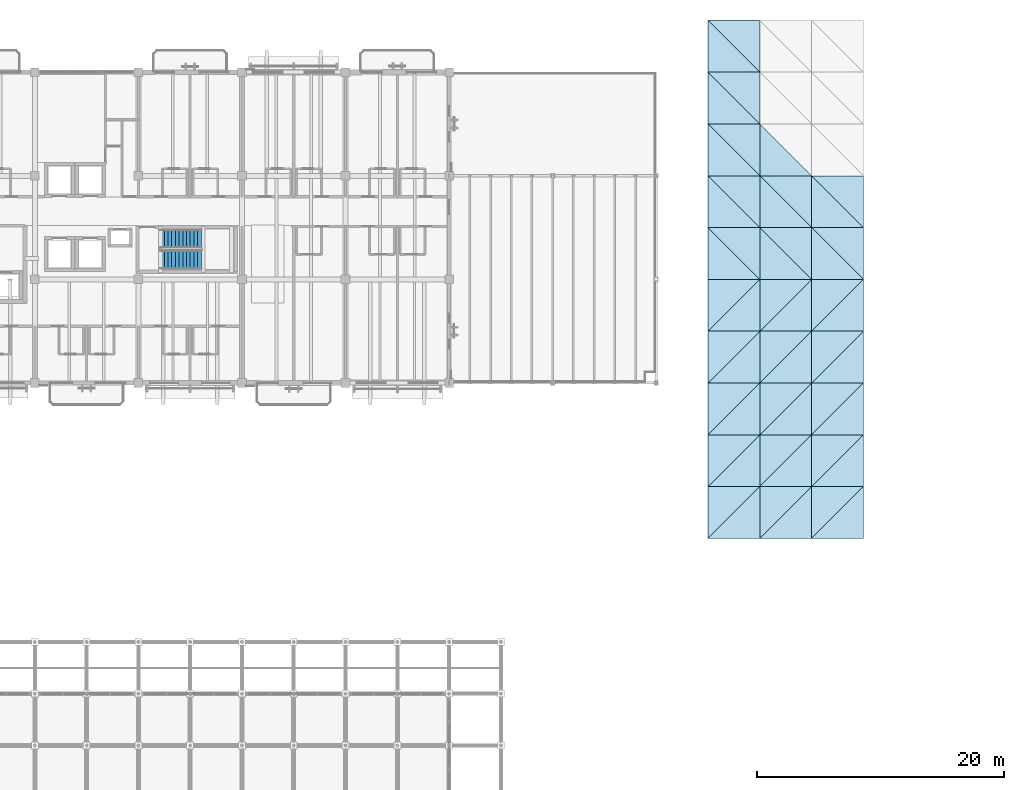
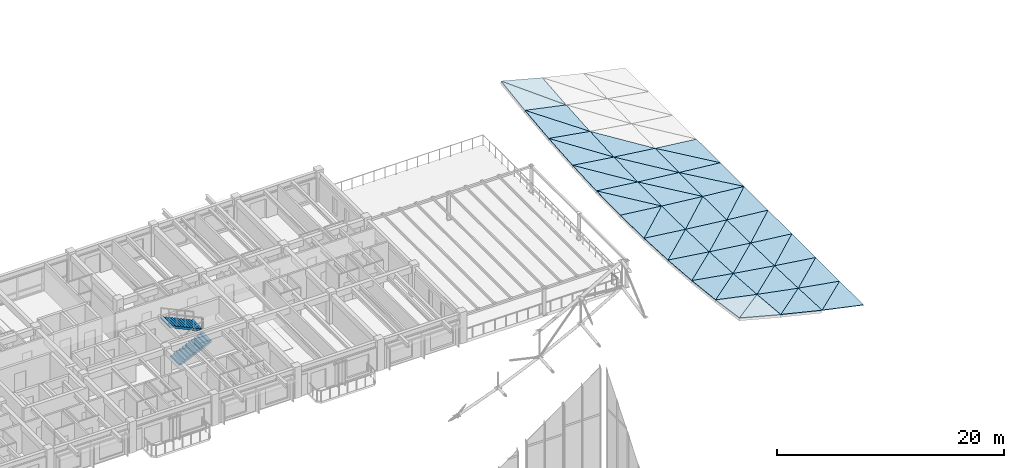
# One storey, part 84 of 93: 49 roofs, 2 stair flights, 1 element without a shape of its own.
"""IFC4 building model written with IfcOpenShell, lengths in metres."""

from ifc_helpers import new_model, si_unit, direction, frame, origin, place, context, subcontext, project, spatial, polyline, outline, extrude, material, layer, layer_set, type_object, element, aggregate, save


model = new_model("IFC4")

# Units and contexts
model_context = context("Model", 3, precision=1e-05, world=origin(), true_north=direction((0.0, 1.0)))
body_context = subcontext(model_context, "Body", "Model", "MODEL_VIEW")
ifc_project = project(units=[si_unit("LENGTHUNIT", "METRE"), si_unit("AREAUNIT", "SQUARE_METRE"), si_unit("VOLUMEUNIT", "CUBIC_METRE"), si_unit("PLANEANGLEUNIT", "RADIAN"), si_unit("MASSUNIT", "GRAM", prefix="KILO")], contexts=[model_context])

# Site, building, storey
site_placement = place(None, origin())
site = spatial("IfcSite", under=ifc_project, at=site_placement, CompositionType="ELEMENT")
building_placement = place(site_placement, origin())
building = spatial("IfcBuilding", under=site, at=building_placement, Name="Cumbredor Promenade Congress Hotel", CompositionType="ELEMENT")
storey_placement = place(building_placement, frame((0.0, 0.0, 21.840087890625)))
storey = spatial("IfcBuildingStorey", under=building, at=storey_placement, Name="L06", CompositionType="ELEMENT", Elevation=21.840087890625)

# Stair, stair flights
ifc_material_1 = material(Name="Concrete C40/50", Category="concrete")
stair_type = type_object("IfcStairType", Name="Protected Dog-Leg Exit Stair ST-T1 1550mm", PredefinedType="HALF_TURN_STAIR", material=ifc_material_1)
stair_placement = place(storey_placement, origin())
stair = element("IfcStair", 1, at=stair_placement, inside=storey, type_object=stair_type, Name="L06 Protected Exit Stair ST-03", PredefinedType="HALF_TURN_STAIR")
stair_flight_type = type_object("IfcStairFlightType", Name="Concrete Stair Flight SFL-T1 1550mm", PredefinedType="STRAIGHT", material=ifc_material_1)
stair_flight_1_placement = place(storey_placement, frame((43.800048828125, 102.39501953125, 0.0), z_axis=(0.0, 0.0, 1.0), x_axis=(1.0, 0.0, 0.0)))
stair_flight_1 = element("IfcStairFlight", 2, at=stair_flight_1_placement, type_object=stair_flight_type, Name="ST-03 flight 1", NumberOfRisers=12, NumberOfTreads=11, PredefinedType="STRAIGHT", RiserHeight=0.14, TreadLength=0.3, context=body_context, shape_type="SweptSolid", body=[
    extrude(outline(polyline([(0.0, 0.0), (0.0, 0.139892578125), (0.300048828125, 0.139892578125), (0.300048828125, 0.280029296875), (0.60009765625, 0.280029296875), (0.60009765625, 0.419921875), (0.89990234375, 0.419921875), (0.89990234375, 0.56005859375), (1.199951171875, 0.56005859375), (1.199951171875, 0.699951171875), (1.5, 0.699951171875), (1.5, 0.840087890625), (1.800048828125, 0.840087890625), (1.800048828125, 0.97998046875), (2.10009765625, 0.97998046875), (2.10009765625, 1.1201171875), (2.39990234375, 1.1201171875), (2.39990234375, 1.260009765625), (2.699951171875, 1.260009765625), (2.699951171875, 1.39990234375), (3.0, 1.39990234375), (3.0, 1.5400390625), (3.300048828125, 1.5400390625), (3.300048828125, 1.679931640625), (3.300048828125, 1.341552734375), (0.425537109375, 0.0), (0.0, 0.0)])), frame((0.0, 0.77490234375, 0.0), z_axis=(0.0, -1.0, 0.0), x_axis=(1.0, 0.0, 0.0)), (0.0, 0.0, 1.0), 1.550048828125),
])
stair_flight_2_placement = place(storey_placement, frame((47.10009765625, 104.094970703125, 1.679931640625), z_axis=(0.0, 0.0, 1.0), x_axis=(-1.0, 0.0, 0.0)))
stair_flight_2 = element("IfcStairFlight", 3, at=stair_flight_2_placement, type_object=stair_flight_type, Name="ST-03 flight 2", NumberOfRisers=12, NumberOfTreads=11, PredefinedType="STRAIGHT", RiserHeight=0.14, TreadLength=0.3, context=body_context, shape_type="SweptSolid", body=[
    extrude(outline(polyline([(0.0, 0.0), (0.0, 0.139892578125), (0.300048828125, 0.139892578125), (0.300048828125, 0.280029296875), (0.60009765625, 0.280029296875), (0.60009765625, 0.419921875), (0.89990234375, 0.419921875), (0.89990234375, 0.56005859375), (1.199951171875, 0.56005859375), (1.199951171875, 0.699951171875), (1.5, 0.699951171875), (1.5, 0.840087890625), (1.800048828125, 0.840087890625), (1.800048828125, 0.97998046875), (2.10009765625, 0.97998046875), (2.10009765625, 1.1201171875), (2.39990234375, 1.1201171875), (2.39990234375, 1.260009765625), (2.699951171875, 1.260009765625), (2.699951171875, 1.39990234375), (3.0, 1.39990234375), (3.0, 1.5400390625), (3.300048828125, 1.5400390625), (3.300048828125, 1.679931640625), (3.300048828125, 1.341552734375), (0.425537109375, 0.0), (0.0, 0.0)])), frame((0.0, 0.77490234375, 0.0), z_axis=(0.0, -1.0, 0.0), x_axis=(1.0, 0.0, 0.0)), (0.0, 0.0, 1.0), 1.550048828125),
])
aggregate(stair, [stair_flight_1, stair_flight_2])

# Roofs
ifc_material_2 = material(Name="Standing-seam zinc-aluminium roofing", Category="aluminium")
ifc_layer = layer(ifc_material_2, 0.050048828125, Name="Standing-seam zinc-aluminium roofing", Category="aluminium")
ifc_layer_set = layer_set([ifc_layer], Name="Standing-seam zinc-aluminium roofing")
roof_type = type_object("IfcRoofType", Name="Sweeping Pavilion Standing-Seam Roof Skin 50mm", PredefinedType="FREEFORM", material=ifc_layer_set)
roof_1_placement = place(storey_placement, frame((88.199951171875, 79.800048828125, 2.809814453125), z_axis=(0.254634442805, 0.088777803097, 0.962953686433), x_axis=(0.966771025005, 0.0, -0.255643864021)))
element("IfcRoof", 4, at=roof_1_placement, inside=storey, type_object=roof_type, Name="Pre-Function and Breakout Meeting Forum Standing-Seam Roof Skin 1.1.1", PredefinedType="FREEFORM", context=body_context, shape_type="SweptSolid", body=[
    extrude(outline(polyline([(0.0, 0.0), (4.344308076314789, -2.7755575615628914e-17), (4.443295177959484, 4.216600607704222), (0.0, 0.0)])), origin(), (0.0, 0.0, -1.0), 0.050048828125),
])
roof_2_placement = place(storey_placement, frame((88.199951171875, 79.800048828125, 2.809814453125), z_axis=(0.204343591237, 0.141109131893, 0.96867533757), x_axis=(0.685642645018, 0.685642645018, -0.244516516142)))
element("IfcRoof", 5, at=roof_2_placement, inside=storey, type_object=roof_type, Name="Pre-Function and Breakout Meeting Forum Standing-Seam Roof Skin 1.1.2", PredefinedType="FREEFORM", context=body_context, shape_type="SweptSolid", body=[
    extrude(outline(polyline([(0.0, 0.0), (6.125568767336597, -2.7755575615628914e-17), (3.0292648466044523, 2.972787185490639), (0.0, 0.0)])), origin(), (0.0, 0.0, -1.0), 0.050048828125),
])
roof_3_placement = place(storey_placement, frame((88.199951171875, 84.0, 2.197998046875), z_axis=(0.205903190223, 0.069958289762, 0.976068498595), x_axis=(0.978465820683, 0.0, -0.206408909101)))
element("IfcRoof", 6, at=roof_3_placement, inside=storey, type_object=roof_type, Name="Pre-Function and Breakout Meeting Forum Standing-Seam Roof Skin 1.2.1", PredefinedType="FREEFORM", context=body_context, shape_type="SweptSolid", body=[
    extrude(outline(polyline([(0.0, 0.0), (4.292384141681474, -6.938893903907228e-18), (4.354518464171949, 4.210266673015353), (0.0, 0.0)])), origin(), (0.0, 0.0, -1.0), 0.050048828125),
])
roof_4_placement = place(storey_placement, frame((88.199951171875, 84.0, 2.197998046875), z_axis=(0.165865904317, 0.111070918069, 0.979873335153), x_axis=(0.693395754023, 0.693395754023, -0.195971060632)))
element("IfcRoof", 7, at=roof_4_placement, inside=storey, type_object=roof_type, Name="Pre-Function and Breakout Meeting Forum Standing-Seam Roof Skin 1.2.2", PredefinedType="FREEFORM", context=body_context, shape_type="SweptSolid", body=[
    extrude(outline(polyline([(0.0, 0.0), (6.05707656487172, -2.983724378680108e-16), (3.0055250792707677, 2.972045676931473), (0.0, 0.0)])), origin(), (0.0, 0.0, -1.0), 0.050048828125),
])
roof_5_placement = place(storey_placement, frame((88.199951171875, 88.199951171875, 1.721923828125), z_axis=(0.16668623471, 0.050429454938, 0.984719538363), x_axis=(0.985974066554, 0.0, -0.166898592211)))
element("IfcRoof", 8, at=roof_5_placement, inside=storey, type_object=roof_type, Name="Pre-Function and Breakout Meeting Forum Standing-Seam Roof Skin 1.3.1", PredefinedType="FREEFORM", context=body_context, shape_type="SweptSolid", body=[
    extrude(outline(polyline([(0.0, 0.0), (4.259697404163872, 0.0), (4.295595270310828, 4.20530189047514), (0.0, 0.0)])), origin(), (0.0, 0.0, -1.0), 0.050048828125),
])
roof_6_placement = place(storey_placement, frame((88.199951171875, 88.199951171875, 1.721923828125), z_axis=(0.137730186113, 0.079940895523, 0.987238496543), x_axis=(0.698666596373, 0.698666596373, -0.154045364183)))
element("IfcRoof", 9, at=roof_6_placement, inside=storey, type_object=roof_type, Name="Pre-Function and Breakout Meeting Forum Standing-Seam Roof Skin 1.3.2", PredefinedType="FREEFORM", context=body_context, shape_type="SweptSolid", body=[
    extrude(outline(polyline([(0.0, 0.0), (6.01138109891151, -1.1796119636642288e-16), (2.9867545531505373, 2.972296563049939), (0.0, 0.0)])), origin(), (0.0, 0.0, -1.0), 0.050048828125),
])
roof_7_placement = place(storey_placement, frame((88.199951171875, 92.39990234375, 1.3818359375), z_axis=(0.138108605928, 0.030382127209, 0.989950978238), x_axis=(0.990408193629, 0.0, -0.138172392298)))
element("IfcRoof", 10, at=roof_7_placement, inside=storey, type_object=roof_type, Name="Pre-Function and Breakout Meeting Forum Standing-Seam Roof Skin 1.4.1", PredefinedType="FREEFORM", context=body_context, shape_type="SweptSolid", body=[
    extrude(outline(polyline([(0.0, 0.0), (4.24062643957711, 0.0), (4.258437724521819, 4.202135200414743), (0.0, 0.0)])), origin(), (0.0, 0.0, -1.0), 0.050048828125),
])
roof_8_placement = place(storey_placement, frame((88.199951171875, 92.39990234375, 1.3818359375), z_axis=(0.120634305935, 0.04812412348, 0.99152984472), x_axis=(0.702020589807, 0.70206139784, -0.119485920302)))
element("IfcRoof", 11, at=roof_8_placement, inside=storey, type_object=roof_type, Name="Pre-Function and Breakout Meeting Forum Standing-Seam Roof Skin 1.4.2", PredefinedType="FREEFORM", context=body_context, shape_type="SweptSolid", body=[
    extrude(outline(polyline([(0.0, 0.0), (5.982660954474624, 4.649058915617843e-16), (2.9731530839570124, 2.9738122420484796), (0.0, 0.0)])), origin(), (0.0, 0.0, -1.0), 0.050048828125),
])
roof_9_placement = place(storey_placement, frame((88.199951171875, 96.60009765625, 1.177978515625), z_axis=(0.120768011453, 0.010155360734, 0.992628810814), x_axis=(0.992680000349, 0.0, -0.120774239419)))
element("IfcRoof", 12, at=roof_9_placement, inside=storey, type_object=roof_type, Name="Pre-Function and Breakout Meeting Forum Standing-Seam Roof Skin 1.5.1", PredefinedType="FREEFORM", context=body_context, shape_type="SweptSolid", body=[
    extrude(outline(polyline([(0.0, 0.0), (4.23092151589519, -8.673617379884035e-19), (4.236111033995238, 4.200167761948639), (0.0, 0.0)])), origin(), (0.0, 0.0, -1.0), 0.050048828125),
])
roof_10_placement = place(storey_placement, frame((88.199951171875, 96.60009765625, 1.177978515625), z_axis=(0.114896313285, 0.016108578596, 0.993246873083), x_axis=(0.704051412217, 0.704051412217, -0.092861283167)))
element("IfcRoof", 13, at=roof_10_placement, inside=storey, type_object=roof_type, Name="Pre-Function and Breakout Meeting Forum Standing-Seam Roof Skin 1.5.2", PredefinedType="FREEFORM", context=body_context, shape_type="SweptSolid", body=[
    extrude(outline(polyline([(0.0, 0.0), (5.965404086970878, 7.632783294297951e-17), (2.963306821866968, 2.977086194715369), (0.0, 0.0)])), origin(), (0.0, 0.0, -1.0), 0.050048828125),
])
roof_11_placement = place(storey_placement, frame((88.199951171875, 100.800048828125, 1.10986328125), z_axis=(0.114896313285, -0.016108578596, 0.993246873083), x_axis=(0.993375765148, 0.0, -0.114911223196)))
element("IfcRoof", 14, at=roof_11_placement, inside=storey, type_object=roof_type, Name="Pre-Function and Breakout Meeting Forum Standing-Seam Roof Skin 1.6.1", PredefinedType="FREEFORM", context=body_context, shape_type="SweptSolid", body=[
    extrude(outline(polyline([(0.0, 0.0), (4.227958159668709, 0.0), (-0.007827204900328939, 4.2004961928505065), (0.0, 0.0)])), origin(), (0.0, 0.0, -1.0), 0.050048828125),
])
roof_12_placement = place(storey_placement, frame((92.39990234375, 100.800048828125, 0.6240234375), z_axis=(0.120768011453, -0.010155360734, 0.992628810814), x_axis=(0.0, 0.999947669743, 0.010230238323)))
element("IfcRoof", 15, at=roof_12_placement, inside=storey, type_object=roof_type, Name="Pre-Function and Breakout Meeting Forum Standing-Seam Roof Skin 1.6.2", PredefinedType="FREEFORM", context=body_context, shape_type="SweptSolid", body=[
    extrude(outline(polyline([(0.0, 0.0), (4.2001709679024675, 0.0), (4.205398479819104, 4.230918286469737), (0.0, 0.0)])), origin(), (0.0, 0.0, -1.0), 0.050048828125),
])
roof_13_placement = place(storey_placement, frame((88.199951171875, 105.0, 1.177978515625), z_axis=(0.120634289694, -0.048126914427, 0.991529711233), x_axis=(0.992680000349, 0.0, -0.120774239419)))
element("IfcRoof", 16, at=roof_13_placement, inside=storey, type_object=roof_type, Name="Pre-Function and Breakout Meeting Forum Standing-Seam Roof Skin 1.7.1", PredefinedType="FREEFORM", context=body_context, shape_type="SweptSolid", body=[
    extrude(outline(polyline([(0.0, 0.0), (4.23092151589519, 0.0), (-0.024620725076932817, 4.204823600876069), (0.0, 0.0)])), origin(), (0.0, 0.0, -1.0), 0.050048828125),
])
roof_14_placement = place(storey_placement, frame((92.39990234375, 105.0, 0.6669921875), z_axis=(0.138108598517, -0.030383891674, 0.989950925118), x_axis=(0.0, 0.999529323226, 0.030677874944)))
element("IfcRoof", 17, at=roof_14_placement, inside=storey, type_object=roof_type, Name="Pre-Function and Breakout Meeting Forum Standing-Seam Roof Skin 1.7.2", PredefinedType="FREEFORM", context=body_context, shape_type="SweptSolid", body=[
    extrude(outline(polyline([(0.0, 0.0), (4.201928922224083, 3.469446951953614e-18), (4.219904239574143, 4.240588342200479), (0.0, 0.0)])), origin(), (0.0, 0.0, -1.0), 0.050048828125),
])
roof_15_placement = place(storey_placement, frame((88.199951171875, 109.199951171875, 1.3818359375), z_axis=(0.137730186113, -0.079940895523, 0.987238496543), x_axis=(0.990408193629, 0.0, -0.138172392298)))
element("IfcRoof", 18, at=roof_15_placement, inside=storey, type_object=roof_type, Name="Pre-Function and Breakout Meeting Forum Standing-Seam Roof Skin 1.8.1", PredefinedType="FREEFORM", context=body_context, shape_type="SweptSolid", body=[
    extrude(outline(polyline([(0.0, 0.0), (4.24062643957711, 6.938893903907228e-18), (-0.04699075743935556, 4.21343582936767), (0.0, 0.0)])), origin(), (0.0, 0.0, -1.0), 0.050048828125),
])
roof_16_placement = place(storey_placement, frame((92.39990234375, 109.199951171875, 0.7958984375), z_axis=(0.16668623471, -0.050429454938, 0.984719538363), x_axis=(0.0, 0.998691239407, 0.051144973663)))
element("IfcRoof", 19, at=roof_16_placement, inside=storey, type_object=roof_type, Name="Pre-Function and Breakout Meeting Forum Standing-Seam Roof Skin 1.8.2", PredefinedType="FREEFORM", context=body_context, shape_type="SweptSolid", body=[
    extrude(outline(polyline([(0.0, 0.0), (4.205455105791489, -6.938893903907228e-18), (4.2418159855047515, 4.259542212664045), (0.0, 0.0)])), origin(), (0.0, 0.0, -1.0), 0.050048828125),
])
roof_17_placement = place(storey_placement, frame((88.199951171875, 113.39990234375, 1.721923828125), z_axis=(0.165866023254, -0.1110645416, 0.979874037787), x_axis=(0.985974066554, 0.0, -0.166898592211)))
element("IfcRoof", 20, at=roof_17_placement, inside=storey, type_object=roof_type, Name="Pre-Function and Breakout Meeting Forum Standing-Seam Roof Skin 1.9.1", PredefinedType="FREEFORM", context=body_context, shape_type="SweptSolid", body=[
    extrude(outline(polyline([(0.0, 0.0), (4.259697404163872, 1.3877787807814457e-17), (-0.07945611689734887, 4.226342869478645), (0.0, 0.0)])), origin(), (0.0, 0.0, -1.0), 0.050048828125),
])
roof_18_placement = place(storey_placement, frame((92.39990234375, 113.39990234375, 1.010986328125), z_axis=(0.205903248796, -0.069954243265, 0.976068776257), x_axis=(0.0, 0.997441601743, 0.071486020399)))
element("IfcRoof", 21, at=roof_18_placement, inside=storey, type_object=roof_type, Name="Pre-Function and Breakout Meeting Forum Standing-Seam Roof Skin 1.9.2", PredefinedType="FREEFORM", context=body_context, shape_type="SweptSolid", body=[
    extrude(outline(polyline([(0.0, 0.0), (4.2109686473480075, 6.938893903907228e-18), (4.274304284073824, 4.2919168464544075), (0.0, 0.0)])), origin(), (0.0, 0.0, -1.0), 0.050048828125),
])
roof_19_placement = place(storey_placement, frame((88.199951171875, 117.60009765625, 2.197998046875), z_axis=(0.204343591237, -0.141109131893, 0.96867533757), x_axis=(0.978465820683, 0.0, -0.206408909101)))
element("IfcRoof", 22, at=roof_19_placement, inside=storey, type_object=roof_type, Name="Pre-Function and Breakout Meeting Forum Standing-Seam Roof Skin 1.10.1", PredefinedType="FREEFORM", context=body_context, shape_type="SweptSolid", body=[
    extrude(outline(polyline([(0.0, 0.0), (4.292384141681474, 1.3877787807814457e-17), (-0.12628435698388515, 4.2424004316273605), (0.0, 0.0)])), origin(), (0.0, 0.0, -1.0), 0.050048828125),
])
roof_20_placement = place(storey_placement, frame((92.39990234375, 117.60009765625, 1.31201171875), z_axis=(0.254634442805, -0.088777803097, 0.962953686433), x_axis=(0.0, 0.995777105566, 0.091803899868)))
element("IfcRoof", 23, at=roof_20_placement, inside=storey, type_object=roof_type, Name="Pre-Function and Breakout Meeting Forum Standing-Seam Roof Skin 1.10.2", PredefinedType="FREEFORM", context=body_context, shape_type="SweptSolid", body=[
    extrude(outline(polyline([(0.0, 0.0), (4.217762336972489, -1.3877787807814457e-17), (4.31971935369589, 4.343111491623807), (0.0, 0.0)])), origin(), (0.0, 0.0, -1.0), 0.050048828125),
])
roof_21_placement = place(storey_placement, frame((92.39990234375, 79.800048828125, 1.69921875), z_axis=(0.232523595501, 0.04247459514, 0.971662846003), x_axis=(0.972540517943, 0.0, -0.23273362662)))
element("IfcRoof", 24, at=roof_21_placement, inside=storey, type_object=roof_type, Name="Pre-Function and Breakout Meeting Forum Standing-Seam Roof Skin 2.1.1", PredefinedType="FREEFORM", context=body_context, shape_type="SweptSolid", body=[
    extrude(outline(polyline([(0.0, 0.0), (4.318786965693645, 6.938893903907228e-18), (4.361515404955908, 4.203744853300622), (0.0, 0.0)])), origin(), (0.0, 0.0, -1.0), 0.050048828125),
])
roof_22_placement = place(storey_placement, frame((92.39990234375, 79.800048828125, 1.69921875), z_axis=(0.186681381948, 0.090190034276, 0.9782718535), x_axis=(0.693378317387, 0.693338014067, -0.19623686511)))
element("IfcRoof", 25, at=roof_22_placement, inside=storey, type_object=roof_type, Name="Pre-Function and Breakout Meeting Forum Standing-Seam Roof Skin 2.1.2", PredefinedType="FREEFORM", context=body_context, shape_type="SweptSolid", body=[
    extrude(outline(polyline([(0.0, 0.0), (6.057580987433776, 1.3877787807814457e-16), (2.9879700986456696, 2.976836209935477), (0.0, 0.0)])), origin(), (0.0, 0.0, -1.0), 0.050048828125),
])
roof_23_placement = place(storey_placement, frame((92.39990234375, 84.0, 1.31201171875), z_axis=(0.187341173687, 0.033327324158, 0.981729379262), x_axis=(0.982275042442, 0.0, -0.187445301345)))
element("IfcRoof", 26, at=roof_23_placement, inside=storey, type_object=roof_type, Name="Pre-Function and Breakout Meeting Forum Standing-Seam Roof Skin 2.2.1", PredefinedType="FREEFORM", context=body_context, shape_type="SweptSolid", body=[
    extrude(outline(polyline([(0.0, 0.0), (4.2759870006057685, 0.0), (4.302712600211571, 4.20228558170294), (0.0, 0.0)])), origin(), (0.0, 0.0, -1.0), 0.050048828125),
])
roof_24_placement = place(storey_placement, frame((92.39990234375, 84.0, 1.31201171875), z_axis=(0.150962034505, 0.070670846063, 0.986010190442), x_axis=(0.698361009603, 0.698320416659, -0.156972914679)))
element("IfcRoof", 27, at=roof_24_placement, inside=storey, type_object=roof_type, Name="Pre-Function and Breakout Meeting Forum Standing-Seam Roof Skin 2.2.2", PredefinedType="FREEFORM", context=body_context, shape_type="SweptSolid", body=[
    extrude(outline(polyline([(0.0, 0.0), (6.014361132340478, 1.1102230246251565e-16), (2.9801644852508775, 2.9746975935016486), (0.0, 0.0)])), origin(), (0.0, 0.0, -1.0), 0.050048828125),
])
roof_25_placement = place(storey_placement, frame((92.39990234375, 88.199951171875, 1.010986328125), z_axis=(0.151296799152, 0.024011290155, 0.988196709421), x_axis=(0.98848170114, 0.0, -0.151340432504)))
element("IfcRoof", 28, at=roof_25_placement, inside=storey, type_object=roof_type, Name="Pre-Function and Breakout Meeting Forum Standing-Seam Roof Skin 2.3.1", PredefinedType="FREEFORM", context=body_context, shape_type="SweptSolid", body=[
    extrude(outline(polyline([(0.0, 0.0), (4.249138155672779, 0.0), (4.264582565044554, 4.201162419891318), (0.0, 0.0)])), origin(), (0.0, 0.0, -1.0), 0.050048828125),
])
roof_26_placement = place(storey_placement, frame((92.39990234375, 88.199951171875, 1.010986328125), z_axis=(0.125037377379, 0.050743589537, 0.990853542346), x_axis=(0.701628328637, 0.701587545777, -0.124469289642)))
element("IfcRoof", 29, at=roof_26_placement, inside=storey, type_object=roof_type, Name="Pre-Function and Breakout Meeting Forum Standing-Seam Roof Skin 2.3.2", PredefinedType="FREEFORM", context=body_context, shape_type="SweptSolid", body=[
    extrude(outline(polyline([(0.0, 0.0), (5.986353659147534, 4.371503159461554e-16), (2.973405272016074, 2.974006344171901), (0.0, 0.0)])), origin(), (0.0, 0.0, -1.0), 0.050048828125),
])
roof_27_placement = place(storey_placement, frame((92.39990234375, 92.39990234375, 0.7958984375), z_axis=(0.125185659508, 0.014415667838, 0.992028597962), x_axis=(0.992131691495, 0.0, -0.125198669044)))
element("IfcRoof", 30, at=roof_27_placement, inside=storey, type_object=roof_type, Name="Pre-Function and Breakout Meeting Forum Standing-Seam Roof Skin 2.4.1", PredefinedType="FREEFORM", context=body_context, shape_type="SweptSolid", body=[
    extrude(outline(polyline([(0.0, 0.0), (4.233505842524938, -8.673617379884035e-19), (4.241147362852343, 4.200631804932744), (0.0, 0.0)])), origin(), (0.0, 0.0, -1.0), 0.050048828125),
])
roof_28_placement = place(storey_placement, frame((92.39990234375, 92.39990234375, 0.7958984375), z_axis=(0.10932158979, 0.030492234236, 0.993538632192), x_axis=(0.703631858523, 0.703631858523, -0.099017247703)))
element("IfcRoof", 31, at=roof_28_placement, inside=storey, type_object=roof_type, Name="Pre-Function and Breakout Meeting Forum Standing-Seam Roof Skin 2.4.2", PredefinedType="FREEFORM", context=body_context, shape_type="SweptSolid", body=[
    extrude(outline(polyline([(0.0, 0.0), (5.969308043152229, 3.7470027081099033e-16), (2.9681551759810523, 2.9746112915359086), (0.0, 0.0)])), origin(), (0.0, 0.0, -1.0), 0.050048828125),
])
roof_29_placement = place(storey_placement, frame((92.39990234375, 96.60009765625, 0.6669921875), z_axis=(0.10937115934, 0.00485351898, 0.993989131157), x_axis=(0.994000838889, 0.0, -0.109372447571)))
element("IfcRoof", 32, at=roof_29_placement, inside=storey, type_object=roof_type, Name="Pre-Function and Breakout Meeting Forum Standing-Seam Roof Skin 2.5.1", PredefinedType="FREEFORM", context=body_context, shape_type="SweptSolid", body=[
    extrude(outline(polyline([(0.0, 0.0), (4.225545037964062, 0.0), (4.2277880276115205, 4.200000641131519), (0.0, 0.0)])), origin(), (0.0, 0.0, -1.0), 0.050048828125),
])
roof_30_placement = place(storey_placement, frame((92.39990234375, 96.60009765625, 0.6669921875), z_axis=(0.10411062157, 0.01017464438, 0.994513677678), x_axis=(0.704804204598, 0.704763237137, -0.080992671035)))
element("IfcRoof", 33, at=roof_30_placement, inside=storey, type_object=roof_type, Name="Pre-Function and Breakout Meeting Forum Standing-Seam Roof Skin 2.5.2", PredefinedType="FREEFORM", context=body_context, shape_type="SweptSolid", body=[
    extrude(outline(polyline([(0.0, 0.0), (5.959378909913388, 2.1510571102112408e-16), (2.9634513375404326, 2.9764731360522254), (0.0, 0.0)])), origin(), (0.0, 0.0, -1.0), 0.050048828125),
])
roof_31_placement = place(storey_placement, frame((92.39990234375, 100.800048828125, 0.6240234375), z_axis=(0.10411062157, -0.01017464438, 0.994513677678), x_axis=(0.994565159388, 0.0, -0.104116010931)))
element("IfcRoof", 34, at=roof_31_placement, inside=storey, type_object=roof_type, Name="Pre-Function and Breakout Meeting Forum Standing-Seam Roof Skin 2.6.1", PredefinedType="FREEFORM", context=body_context, shape_type="SweptSolid", body=[
    extrude(outline(polyline([(0.0, 0.0), (4.223147445750039, 8.673617379884035e-19), (-0.004473734844692061, 4.200168585343603), (0.0, 0.0)])), origin(), (0.0, 0.0, -1.0), 0.050048828125),
])
roof_32_placement = place(storey_placement, frame((96.60009765625, 100.800048828125, 0.184326171875), z_axis=(0.10937115934, -0.00485351898, 0.993989131157), x_axis=(0.0, 0.999988079007, 0.004882811058)))
element("IfcRoof", 35, at=roof_32_placement, inside=storey, type_object=roof_type, Name="Pre-Function and Breakout Meeting Forum Standing-Seam Roof Skin 2.6.2", PredefinedType="FREEFORM", context=body_context, shape_type="SweptSolid", body=[
    extrude(outline(polyline([(0.0, 0.0), (4.200001240060259, 0.0), (4.2022578712451795, 4.225544435392722), (0.0, 0.0)])), origin(), (0.0, 0.0, -1.0), 0.050048828125),
])
roof_33_placement = place(storey_placement, frame((92.39990234375, 105.0, 0.6669921875), z_axis=(0.109321583881, -0.030494005083, 0.993538578492), x_axis=(0.994000838889, 0.0, -0.109372447571)))
element("IfcRoof", 36, at=roof_33_placement, inside=storey, type_object=roof_type, Name="Pre-Function and Breakout Meeting Forum Standing-Seam Roof Skin 2.7.1", PredefinedType="FREEFORM", context=body_context, shape_type="SweptSolid", body=[
    extrude(outline(polyline([(0.0, 0.0), (4.225545037964062, 0.0), (-0.01409879206974121, 4.2019052692184085), (0.0, 0.0)])), origin(), (0.0, 0.0, -1.0), 0.050048828125),
])
roof_34_placement = place(storey_placement, frame((96.60009765625, 105.0, 0.204833984375), z_axis=(0.125185657996, -0.014416505638, 0.992028585978), x_axis=(0.0, 0.999894422139, 0.014530814715)))
element("IfcRoof", 37, at=roof_34_placement, inside=storey, type_object=roof_type, Name="Pre-Function and Breakout Meeting Forum Standing-Seam Roof Skin 2.7.2", PredefinedType="FREEFORM", context=body_context, shape_type="SweptSolid", body=[
    extrude(outline(polyline([(0.0, 0.0), (4.20039464055851, -8.673617379884035e-19), (4.208096398064691, 4.233498836851629), (0.0, 0.0)])), origin(), (0.0, 0.0, -1.0), 0.050048828125),
])
roof_35_placement = place(storey_placement, frame((92.39990234375, 109.199951171875, 0.7958984375), z_axis=(0.125037377379, -0.050743589537, 0.990853542346), x_axis=(0.992131691495, 0.0, -0.125198669044)))
element("IfcRoof", 38, at=roof_35_placement, inside=storey, type_object=roof_type, Name="Pre-Function and Breakout Meeting Forum Standing-Seam Roof Skin 2.8.1", PredefinedType="FREEFORM", context=body_context, shape_type="SweptSolid", body=[
    extrude(outline(polyline([(0.0, 0.0), (4.233505842524938, 0.0), (-0.026928717633776154, 4.205368888812764), (0.0, 0.0)])), origin(), (0.0, 0.0, -1.0), 0.050048828125),
])
roof_36_placement = place(storey_placement, frame((96.60009765625, 79.800048828125, 0.694091796875), z_axis=(0.209346626086, 0.000341047993, 0.977841435936), x_axis=(0.977841492804, 0.0, -0.209346638261)))
element("IfcRoof", 39, at=roof_36_placement, inside=storey, type_object=roof_type, Name="Pre-Function and Breakout Meeting Forum Standing-Seam Roof Skin 3.1.1", PredefinedType="FREEFORM", context=body_context, shape_type="SweptSolid", body=[
    extrude(outline(polyline([(0.0, 0.0), (4.295124723979372, -5.421010862427522e-20), (4.2954313840940115, 4.1999514161310225), (0.0, 0.0)])), origin(), (0.0, 0.0, -1.0), 0.050048828125),
])
roof_37_placement = place(storey_placement, frame((96.60009765625, 79.800048828125, 0.694091796875), z_axis=(0.168135012328, 0.043049890797, 0.984823499177), x_axis=(0.69911538403, 0.69911538403, -0.149917842916)))
element("IfcRoof", 40, at=roof_37_placement, inside=storey, type_object=roof_type, Name="Pre-Function and Breakout Meeting Forum Standing-Seam Roof Skin 3.1.2", PredefinedType="FREEFORM", context=body_context, shape_type="SweptSolid", body=[
    extrude(outline(polyline([(0.0, 0.0), (6.007522174184693, -6.106226635438361e-16), (2.963774455406324, 2.9814992015182886), (0.0, 0.0)])), origin(), (0.0, 0.0, -1.0), 0.050048828125),
])
roof_38_placement = place(storey_placement, frame((96.60009765625, 84.0, 0.510498046875), z_axis=(0.168291026531, 0.000229201262, 0.985737327007), x_axis=(0.985737352899, 0.0, -0.168291030952)))
element("IfcRoof", 41, at=roof_38_placement, inside=storey, type_object=roof_type, Name="Pre-Function and Breakout Meeting Forum Standing-Seam Roof Skin 3.2.1", PredefinedType="FREEFORM", context=body_context, shape_type="SweptSolid", body=[
    extrude(outline(polyline([(0.0, 0.0), (4.260720322225189, 0.0), (4.260884668935103, 4.19995128219348), (0.0, 0.0)])), origin(), (0.0, 0.0, -1.0), 0.050048828125),
])
roof_39_placement = place(storey_placement, frame((96.60009765625, 84.0, 0.510498046875), z_axis=(0.135666116145, 0.033614345282, 0.990184215548), x_axis=(0.70199610488, 0.70199610488, -0.120012238822)))
element("IfcRoof", 42, at=roof_39_placement, inside=storey, type_object=roof_type, Name="Pre-Function and Breakout Meeting Forum Standing-Seam Roof Skin 3.2.2", PredefinedType="FREEFORM", context=body_context, shape_type="SweptSolid", body=[
    extrude(outline(polyline([(0.0, 0.0), (5.98286962374786, 2.5673907444456745e-16), (2.9654604833300975, 2.9775766135685453), (0.0, 0.0)])), origin(), (0.0, 0.0, -1.0), 0.050048828125),
])
roof_40_placement = place(storey_placement, frame((96.60009765625, 88.199951171875, 0.367919921875), z_axis=(0.135742823772, 0.00023036542, 0.990744080339), x_axis=(0.990744106627, 0.0, -0.135742827374)))
element("IfcRoof", 43, at=roof_40_placement, inside=storey, type_object=roof_type, Name="Pre-Function and Breakout Meeting Forum Standing-Seam Roof Skin 3.3.1", PredefinedType="FREEFORM", context=body_context, shape_type="SweptSolid", body=[
    extrude(outline(polyline([(0.0, 0.0), (4.23918865000686, 2.710505431213761e-20), (4.239321211361718, 4.1999512833169845), (0.0, 0.0)])), origin(), (0.0, 0.0, -1.0), 0.050048828125),
])
roof_41_placement = place(storey_placement, frame((96.60009765625, 88.199951171875, 0.367919921875), z_axis=(0.112199133894, 0.024137538841, 0.993392537506), x_axis=(0.703800390524, 0.703800390524, -0.09659203174)))
element("IfcRoof", 44, at=roof_41_placement, inside=storey, type_object=roof_type, Name="Pre-Function and Breakout Meeting Forum Standing-Seam Roof Skin 3.3.2", PredefinedType="FREEFORM", context=body_context, shape_type="SweptSolid", body=[
    extrude(outline(polyline([(0.0, 0.0), (5.967531743974, 3.2612801348363973e-16), (2.9657845672501946, 2.975588363458309), (0.0, 0.0)])), origin(), (0.0, 0.0, -1.0), 0.050048828125),
])
roof_42_placement = place(storey_placement, frame((96.60009765625, 92.39990234375, 0.265869140625), z_axis=(0.112231832207, 0.000115517559, 0.993682042957), x_axis=(0.993682049587, 0.0, -0.112231832956)))
element("IfcRoof", 45, at=roof_42_placement, inside=storey, type_object=roof_type, Name="Pre-Function and Breakout Meeting Forum Standing-Seam Roof Skin 3.4.1", PredefinedType="FREEFORM", context=body_context, shape_type="SweptSolid", body=[
    extrude(outline(polyline([(0.0, 0.0), (4.226654968378402, -6.776263578034403e-21), (4.226709769078088, 4.200195340524347), (0.0, 0.0)])), origin(), (0.0, 0.0, -1.0), 0.050048828125),
])
roof_43_placement = place(storey_placement, frame((96.60009765625, 92.39990234375, 0.265869140625), z_axis=(0.098044266176, 0.014459965672, 0.995076997655), x_axis=(0.704837473645, 0.704878445421, -0.079690105577)))
element("IfcRoof", 46, at=roof_43_placement, inside=storey, type_object=roof_type, Name="Pre-Function and Breakout Meeting Forum Standing-Seam Roof Skin 3.4.2", PredefinedType="FREEFORM", context=body_context, shape_type="SweptSolid", body=[
    extrude(outline(polyline([(0.0, 0.0), (5.95875124254928, -1.3877787807814457e-16), (2.9654910403860293, 2.9751014844599206), (0.0, 0.0)])), origin(), (0.0, 0.0, -1.0), 0.050048828125),
])
roof_44_placement = place(storey_placement, frame((96.60009765625, 96.60009765625, 0.204833984375), z_axis=(0.098054517851, 0.0, 0.995181044599), x_axis=(0.995181044599, 0.0, -0.098054517851)))
element("IfcRoof", 47, at=roof_44_placement, inside=storey, type_object=roof_type, Name="Pre-Function and Breakout Meeting Forum Standing-Seam Roof Skin 3.5.1", PredefinedType="FREEFORM", context=body_context, shape_type="SweptSolid", body=[
    extrude(outline(polyline([(0.0, 0.0), (4.22028855419745, 0.0), (4.22028855419745, 4.199951171875), (0.0, 0.0)])), origin(), (0.0, 0.0, -1.0), 0.050048828125),
])
roof_45_placement = place(storey_placement, frame((96.60009765625, 96.60009765625, 0.204833984375), z_axis=(0.093237412623, 0.004861541068, 0.995632035596), x_axis=(0.705396850563, 0.705396850563, -0.069502276446)))
element("IfcRoof", 48, at=roof_45_placement, inside=storey, type_object=roof_type, Name="Pre-Function and Breakout Meeting Forum Standing-Seam Roof Skin 3.5.2", PredefinedType="FREEFORM", context=body_context, shape_type="SweptSolid", body=[
    extrude(outline(polyline([(0.0, 0.0), (5.954025976330989, 1.0408340855860843e-16), (2.964057668813273, 2.975629774091015), (0.0, 0.0)])), origin(), (0.0, 0.0, -1.0), 0.050048828125),
])
roof_46_placement = place(storey_placement, frame((96.60009765625, 100.800048828125, 0.184326171875), z_axis=(0.093237412623, -0.004861541068, 0.995632035596), x_axis=(0.995643801478, 0.0, -0.093238514456)))
element("IfcRoof", 49, at=roof_46_placement, inside=storey, type_object=roof_type, Name="Pre-Function and Breakout Meeting Forum Standing-Seam Roof Skin 3.6.1", PredefinedType="FREEFORM", context=body_context, shape_type="SweptSolid", body=[
    extrude(outline(polyline([(0.0, 0.0), (4.21832704189911, -2.168404344971009e-19), (-0.0019121179722361304, 4.20000080479904), (0.0, 0.0)])), origin(), (0.0, 0.0, -1.0), 0.050048828125),
])
roof_47_placement = place(storey_placement, frame((100.800048828125, 100.800048828125, -0.208984375), z_axis=(0.098054517851, 0.0, 0.995181044599), x_axis=(0.0, 1.0, 0.0)))
element("IfcRoof", 50, at=roof_47_placement, inside=storey, type_object=roof_type, Name="Pre-Function and Breakout Meeting Forum Standing-Seam Roof Skin 3.6.2", PredefinedType="FREEFORM", context=body_context, shape_type="SweptSolid", body=[
    extrude(outline(polyline([(0.0, 0.0), (4.199951171875, 0.0), (4.199951171875, 4.220288554197449), (0.0, 0.0)])), origin(), (0.0, 0.0, -1.0), 0.050048828125),
])
roof_48_placement = place(storey_placement, frame((96.60009765625, 105.0, 0.204833984375), z_axis=(0.098044264984, -0.014460806045, 0.995076985561), x_axis=(0.995181044599, 0.0, -0.098054517851)))
element("IfcRoof", 51, at=roof_48_placement, inside=storey, type_object=roof_type, Name="Pre-Function and Breakout Meeting Forum Standing-Seam Roof Skin 3.7.1", PredefinedType="FREEFORM", context=body_context, shape_type="SweptSolid", body=[
    extrude(outline(polyline([(0.0, 0.0), (4.22028855419745, 0.0), (-0.005984772818069749, 4.200390376968189), (0.0, 0.0)])), origin(), (0.0, 0.0, -1.0), 0.050048828125),
])
roof_49_placement = place(storey_placement, frame((100.800048828125, 105.0, -0.208984375), z_axis=(0.112231832207, -0.000115524274, 0.993682042956), x_axis=(0.0, 0.999999993242, 0.000116258791)))
element("IfcRoof", 52, at=roof_49_placement, inside=storey, type_object=roof_type, Name="Pre-Function and Breakout Meeting Forum Standing-Seam Roof Skin 3.7.2", PredefinedType="FREEFORM", context=body_context, shape_type="SweptSolid", body=[
    extrude(outline(polyline([(0.0, 0.0), (4.199951200258494, 0.0), (4.20000634938727, 4.226654968018611), (0.0, 0.0)])), origin(), (0.0, 0.0, -1.0), 0.050048828125),
])

save(model, "model.ifc")
